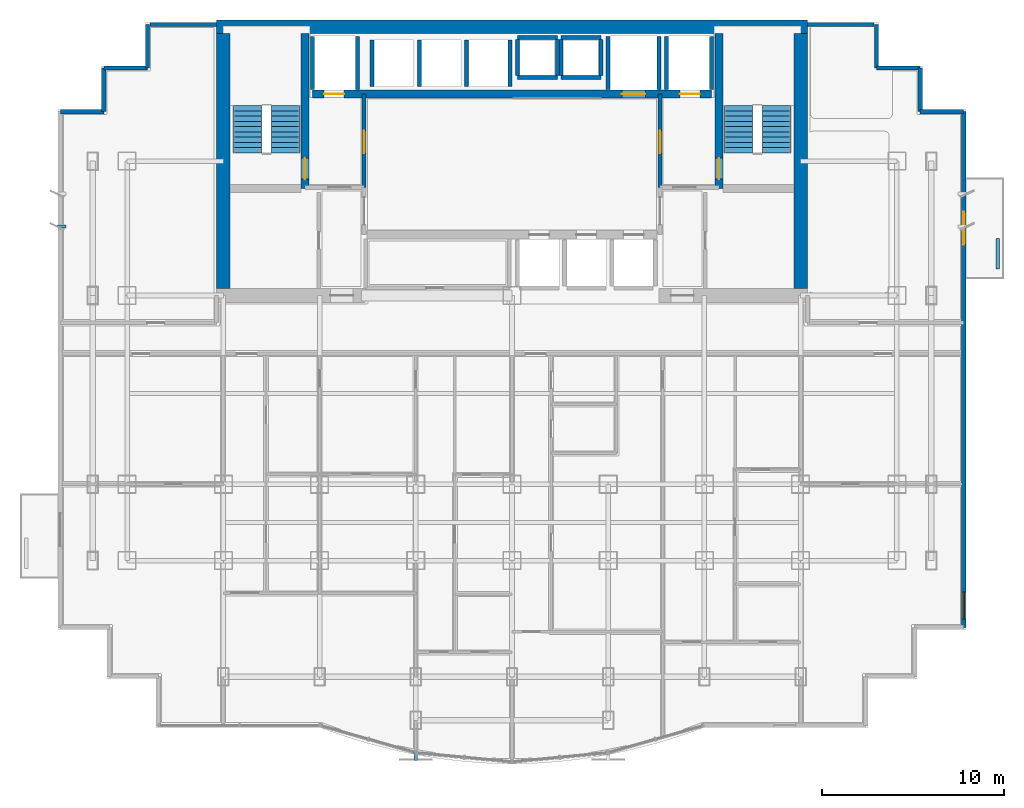
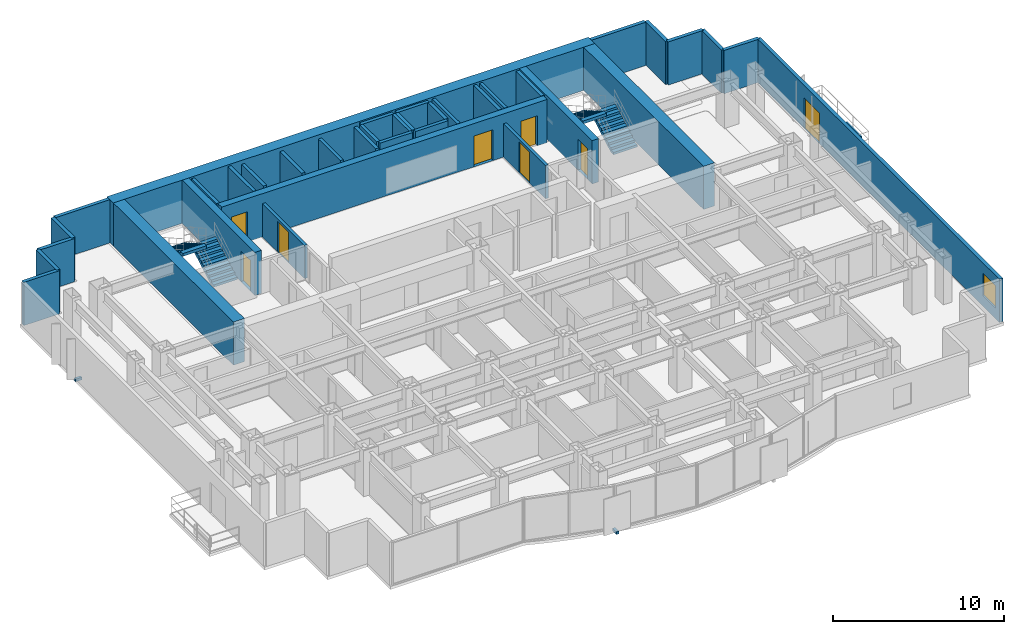
# One storey, part 7 of 10: 38 walls, 8 doors, 4 stair flights, 2 discrete accessories, 1 window, 9 openings, 2 elements without a shape of their own.
"""IFC4 building model written with IfcOpenShell, lengths in metres."""

from ifc_helpers import new_model, si_unit, direction, frame, frame_2d, origin, origin_2d, place, context, subcontext, project, spatial, polyline, rectangle, outline, extrude, source, transform, mapped, material, layer, layer_set, type_object, element, fill, aggregate, save


model = new_model("IFC4")

# Units and contexts
model_context = context("Model", 3, precision=1e-05, world=origin(), true_north=direction((0.0, 1.0)))
body_context = subcontext(model_context, "Body", "Model", "MODEL_VIEW")
ifc_project = project(units=[si_unit("LENGTHUNIT", "METRE"), si_unit("AREAUNIT", "SQUARE_METRE"), si_unit("VOLUMEUNIT", "CUBIC_METRE"), si_unit("PLANEANGLEUNIT", "RADIAN"), si_unit("MASSUNIT", "GRAM", prefix="KILO")], contexts=[model_context])

# Site, building, storey
site_placement = place(None, origin())
site = spatial("IfcSite", under=ifc_project, at=site_placement, CompositionType="ELEMENT")
building_placement = place(site_placement, origin())
building = spatial("IfcBuilding", under=site, at=building_placement, Name="Qianlan Lanfeng Residences", CompositionType="ELEMENT")
storey_placement = place(building_placement, frame((0.0, 0.0, 94.89990234375)))
storey = spatial("IfcBuildingStorey", under=building, at=storey_placement, Name="L25", CompositionType="ELEMENT", Elevation=94.89990234375)

# Wall, opening, door
ifc_material_1 = material(Name="Concrete C60", Category="concrete")
ifc_layer_1 = layer(ifc_material_1, 0.449951171875)
ifc_layer_set_1 = layer_set([ifc_layer_1], Name="Concrete C60")
wall_type_1 = type_object("IfcWallType", Name="CW-RC-450", PredefinedType="SHEAR", material=ifc_layer_set_1)
wall_1_placement = place(storey_placement, frame((15.10009765625, 31.10009765625, 0.0), z_axis=(0.0, 0.0, 1.0), x_axis=(0.0, 1.0, 0.0)))
wall_1 = element("IfcWall", 1, at=wall_1_placement, inside=storey, type_object=wall_type_1, Name="L25 Core Shear Wall ST1E", PredefinedType="SHEAR", context=body_context, shape_type="SweptSolid", body=[
    extrude(rectangle(XDim=8.52490234375, YDim=0.449951171875, at=frame_2d((4.262451171875, 0.0))), origin(), (0.0, 0.0, 1.0), 3.090087890625),
])
opening_1_placement = place(wall_1_placement, frame((0.510009765625, 0.0, 0.0)))
opening_1 = element("IfcOpeningElement", 2, at=opening_1_placement, cuts=wall_1, Name="Opening L25-D07", PredefinedType="OPENING", context=body_context, shape_type="SweptSolid", body=[
    extrude(rectangle(XDim=1.14990234375, YDim=2.199951171875, at=frame_2d((0.574951171875, 1.10009765625))), frame((0.0, 0.23486328125, 0.0), z_axis=(0.0, -1.0, 0.0), x_axis=(1.0, 0.0, 0.0)), (0.0, 0.0, 1.0), 0.469970703125),
])
ifc_material_2 = material(Name="Painted Galvanised Steel Fire Door", Category="steel")
door_type_1 = type_object("IfcDoorType", Name="DT-ST1", OperationType="NOTDEFINED", PredefinedType="DOOR", material=ifc_material_2)
door_1_placement = place(opening_1_placement, frame((1.14990234375, 0.0, 0.0), z_axis=(0.0, 0.0, 1.0), x_axis=(-1.0, 0.0, 0.0)))
door_1 = element("IfcDoor", 3, at=door_1_placement, inside=storey, type_object=door_type_1, Name="L25 Exit Stair ST-1 Door L25-D07 (DT-ST1)", OperationType="SINGLE_SWING_RIGHT", OverallHeight=2.199951171875, OverallWidth=1.14990234375, PredefinedType="DOOR", context=body_context, shape_type="SweptSolid", body=[
    extrude(rectangle(XDim=1.14990234375, YDim=2.199951171875, at=frame_2d((0.574951171875, 1.10009765625))), frame((0.0, 0.02490234375, 0.0), z_axis=(0.0, -1.0, 0.0), x_axis=(1.0, 0.0, 0.0)), (0.0, 0.0, 1.0), 0.050048828125),
])
fill(opening_1, door_1)

wall_2_placement = place(storey_placement, frame((37.89990234375, 31.10009765625, 0.0), z_axis=(0.0, 0.0, 1.0), x_axis=(0.0, 1.0, 0.0)))
wall_2 = element("IfcWall", 4, at=wall_2_placement, inside=storey, type_object=wall_type_1, Name="L25 Core Shear Wall ST2W", PredefinedType="SHEAR", context=body_context, shape_type="SweptSolid", body=[
    extrude(rectangle(XDim=8.52490234375, YDim=0.449951171875, at=frame_2d((4.262451171875, 0.0))), origin(), (0.0, 0.0, 1.0), 3.090087890625),
])
opening_2_placement = place(wall_2_placement, frame((0.510009765625, 0.0, 0.0)))
opening_2 = element("IfcOpeningElement", 5, at=opening_2_placement, cuts=wall_2, Name="Opening L25-D08", PredefinedType="OPENING", context=body_context, shape_type="SweptSolid", body=[
    extrude(rectangle(XDim=1.14990234375, YDim=2.199951171875, at=frame_2d((0.574951171875, 1.10009765625))), frame((0.0, 0.23486328125, 0.0), z_axis=(0.0, -1.0, 0.0), x_axis=(1.0, 0.0, 0.0)), (0.0, 0.0, 1.0), 0.469970703125),
])
door_2_placement = place(opening_2_placement, origin())
door_2 = element("IfcDoor", 6, at=door_2_placement, inside=storey, type_object=door_type_1, Name="L25 Exit Stair ST-2 Door L25-D08 (DT-ST1)", OperationType="SINGLE_SWING_RIGHT", OverallHeight=2.199951171875, OverallWidth=1.14990234375, PredefinedType="DOOR", context=body_context, shape_type="SweptSolid", body=[
    extrude(rectangle(XDim=1.14990234375, YDim=2.199951171875, at=frame_2d((0.574951171875, 1.10009765625))), frame((0.0, 0.02490234375, 0.0), z_axis=(0.0, -1.0, 0.0), x_axis=(1.0, 0.0, 0.0)), (0.0, 0.0, 1.0), 0.050048828125),
])
fill(opening_2, door_2)

# Wall, openings, doors
wall_3_placement = place(storey_placement, frame((15.5, 36.300048828125, 0.0), z_axis=(0.0, 0.0, 1.0), x_axis=(1.0, 0.0, 0.0)))
wall_3 = element("IfcWall", 7, at=wall_3_placement, inside=storey, type_object=wall_type_1, Name="L25 Core Shear Wall LBN", PredefinedType="SHEAR", context=body_context, shape_type="SweptSolid", body=[
    extrude(rectangle(XDim=22.0, YDim=0.449951171875, at=frame_2d((11.0, 0.0))), origin(), (0.0, 0.0, 1.0), 3.090087890625),
])
opening_3_placement = place(wall_3_placement, frame((0.64990234375, 0.0, 0.0)))
opening_3 = element("IfcOpeningElement", 8, at=opening_3_placement, cuts=wall_3, Name="Opening L25-LD-FFL-1", PredefinedType="OPENING", context=body_context, shape_type="SweptSolid", body=[
    extrude(rectangle(XDim=1.10009765625, YDim=2.14990234375, at=frame_2d((0.550048828125, 1.074951171875))), frame((0.0, 0.23486328125, 0.0), z_axis=(0.0, -1.0, 0.0), x_axis=(1.0, 0.0, 0.0)), (0.0, 0.0, 1.0), 0.469970703125),
])
opening_4_placement = place(wall_3_placement, frame((20.25, 0.0, 0.0)))
opening_4 = element("IfcOpeningElement", 9, at=opening_4_placement, cuts=wall_3, Name="Opening L25-LD-FFL-2", PredefinedType="OPENING", context=body_context, shape_type="SweptSolid", body=[
    extrude(rectangle(XDim=1.10009765625, YDim=2.14990234375, at=frame_2d((0.550048828125, 1.074951171875))), frame((0.0, 0.23486328125, 0.0), z_axis=(0.0, -1.0, 0.0), x_axis=(1.0, 0.0, 0.0)), (0.0, 0.0, 1.0), 0.469970703125),
])
opening_5_placement = place(wall_3_placement, frame((17.050048828125, 0.0, 0.0)))
opening_5 = element("IfcOpeningElement", 10, at=opening_5_placement, cuts=wall_3, Name="Opening L25-LD-SVL-1", PredefinedType="OPENING", context=body_context, shape_type="SweptSolid", body=[
    extrude(rectangle(XDim=1.300048828125, YDim=2.199951171875, at=frame_2d((0.64990234375, 1.10009765625))), frame((0.0, 0.23486328125, 0.0), z_axis=(0.0, -1.0, 0.0), x_axis=(1.0, 0.0, 0.0)), (0.0, 0.0, 1.0), 0.469970703125),
])
ifc_material_3 = material(Name="Brushed Stainless Steel Sliding Lift Door", Category="steel")
door_type_2 = type_object("IfcDoorType", Name="LD-01", OperationType="NOTDEFINED", PredefinedType="DOOR", material=ifc_material_3)
door_3_placement = place(opening_3_placement, frame((1.10009765625, 0.0, 0.0), z_axis=(0.0, 0.0, 1.0), x_axis=(-1.0, 0.0, 0.0)))
door_3 = element("IfcDoor", 11, at=door_3_placement, inside=storey, type_object=door_type_2, Name="L25 Elevator FFL-1 Sliding Landing Door", OperationType="DOUBLE_DOOR_SLIDING", OverallHeight=2.14990234375, OverallWidth=1.10009765625, PredefinedType="DOOR", context=body_context, shape_type="SweptSolid", body=[
    extrude(rectangle(XDim=1.10009765625, YDim=2.14990234375, at=frame_2d((0.550048828125, 1.074951171875))), frame((0.0, 0.02490234375, 0.0), z_axis=(0.0, -1.0, 0.0), x_axis=(1.0, 0.0, 0.0)), (0.0, 0.0, 1.0), 0.050048828125),
])
fill(opening_3, door_3)
door_4_placement = place(opening_4_placement, frame((1.10009765625, 0.0, 0.0), z_axis=(0.0, 0.0, 1.0), x_axis=(-1.0, 0.0, 0.0)))
door_4 = element("IfcDoor", 12, at=door_4_placement, inside=storey, type_object=door_type_2, Name="L25 Elevator FFL-2 Sliding Landing Door", OperationType="DOUBLE_DOOR_SLIDING", OverallHeight=2.14990234375, OverallWidth=1.10009765625, PredefinedType="DOOR", context=body_context, shape_type="SweptSolid", body=[
    extrude(rectangle(XDim=1.10009765625, YDim=2.14990234375, at=frame_2d((0.550048828125, 1.074951171875))), frame((0.0, 0.02490234375, 0.0), z_axis=(0.0, -1.0, 0.0), x_axis=(1.0, 0.0, 0.0)), (0.0, 0.0, 1.0), 0.050048828125),
])
fill(opening_4, door_4)
door_type_3 = type_object("IfcDoorType", Name="LD-02", OperationType="NOTDEFINED", PredefinedType="DOOR", material=ifc_material_3)
door_5_placement = place(opening_5_placement, frame((1.300048828125, 0.0, 0.0), z_axis=(0.0, 0.0, 1.0), x_axis=(-1.0, 0.0, 0.0)))
door_5 = element("IfcDoor", 13, at=door_5_placement, inside=storey, type_object=door_type_3, Name="L25 Elevator SVL-1 Sliding Landing Door", OperationType="DOUBLE_DOOR_SLIDING", OverallHeight=2.199951171875, OverallWidth=1.300048828125, PredefinedType="DOOR", context=body_context, shape_type="SweptSolid", body=[
    extrude(rectangle(XDim=1.300048828125, YDim=2.199951171875, at=frame_2d((0.64990234375, 1.10009765625))), frame((0.0, 0.02490234375, 0.0), z_axis=(0.0, -1.0, 0.0), x_axis=(1.0, 0.0, 0.0)), (0.0, 0.0, 1.0), 0.050048828125),
])
fill(opening_5, door_5)

# Walls
ifc_layer_2 = layer(ifc_material_1, 0.75)
ifc_layer_set_2 = layer_set([ifc_layer_2], Name="Concrete C60")
wall_type_2 = type_object("IfcWallType", Name="CW-RC-750", PredefinedType="SHEAR", material=ifc_layer_set_2)
wall_4_placement = place(storey_placement, frame((10.22509765625, 40.0, 0.0), z_axis=(0.0, 0.0, 1.0), x_axis=(1.0, 0.0, 0.0)))
element("IfcWall", 14, at=wall_4_placement, inside=storey, type_object=wall_type_2, Name="L25 Core Shear Wall N", PredefinedType="SHEAR", context=body_context, shape_type="SweptSolid", body=[
    extrude(rectangle(XDim=32.5498046875, YDim=0.75, at=frame_2d((16.27490234375, 0.0))), origin(), (0.0, 0.0, 1.0), 3.090087890625),
])
for number, where, z_axis, x_axis, name in (
    (15, (10.60009765625, 25.574951171875, 0.0), (0.0, 0.0, 1.0), (0.0, 1.0, 0.0), "L25 Core Shear Wall W"),
    (16, (42.39990234375, 25.574951171875, 0.0), (0.0, 0.0, 1.0), (0.0, 1.0, 0.0), "L25 Core Shear Wall E"),
):
    element("IfcWall", number, at=place(storey_placement, frame(where, z_axis=z_axis, x_axis=x_axis)), inside=storey, type_object=wall_type_2, Name=name, PredefinedType="SHEAR", context=body_context, shape_type="SweptSolid", body=[
        extrude(rectangle(XDim=14.050048828125, YDim=0.75, at=frame_2d((7.02490234375, 0.0))), origin(), (0.0, 0.0, 1.0), 3.090087890625),
    ])

# Wall, openings, door, window
ifc_material_4 = material(Name="Concrete C42", Category="concrete")
ifc_layer_3 = layer(ifc_material_4, 0.239990234375)
ifc_layer_set_3 = layer_set([ifc_layer_3], Name="Concrete C42")
wall_type_3 = type_object("IfcWallType", Name="EW-240", PredefinedType="SOLIDWALL", material=ifc_layer_set_3)
wall_5_placement = place(storey_placement, frame((51.3798828125, 6.919921875, 0.0), z_axis=(0.0, 0.0, 1.0), x_axis=(0.0, 1.0, 0.0)))
wall_5 = element("IfcWall", 17, at=wall_5_placement, inside=storey, type_object=wall_type_3, Name="L25 Terrace/Balcony Access Exterior Wall 10", PredefinedType="SOLIDWALL", context=body_context, shape_type="SweptSolid", body=[
    extrude(rectangle(XDim=28.41015625, YDim=0.239990234375, at=frame_2d((14.205078125, 0.0))), origin(), (0.0, 0.0, 1.0), 3.090087890625),
])
opening_6_placement = place(wall_5_placement, frame((21.080078125, 0.0, 0.0)))
opening_6 = element("IfcOpeningElement", 18, at=opening_6_placement, cuts=wall_5, Name="Opening L25-D-EB-N", PredefinedType="OPENING", context=body_context, shape_type="SweptSolid", body=[
    extrude(rectangle(XDim=1.800048828125, YDim=2.199951171875, at=frame_2d((0.89990234375, 1.10009765625))), frame((0.0, 0.1298828125, 0.0), z_axis=(0.0, -1.0, 0.0), x_axis=(1.0, 0.0, 0.0)), (0.0, 0.0, 1.0), 0.260009765625),
])
opening_7_placement = place(wall_5_placement, frame((0.449951171875, 0.0, 0.75)))
opening_7 = element("IfcOpeningElement", 19, at=opening_7_placement, cuts=wall_5, Name="Opening W-02", PredefinedType="OPENING", context=body_context, shape_type="SweptSolid", body=[
    extrude(rectangle(XDim=1.5, YDim=1.60009765625, at=frame_2d((0.75, 0.800048828125))), frame((0.0, 0.1298828125, 0.0), z_axis=(0.0, -1.0, 0.0), x_axis=(1.0, 0.0, 0.0)), (0.0, 0.0, 1.0), 0.260009765625),
])
ifc_material_5 = material(Name="Anodised Bronze Aluminium Framed Glass", Category="aluminium")
door_type_4 = type_object("IfcDoorType", Name="DT-BAL1", OperationType="NOTDEFINED", PredefinedType="DOOR", material=ifc_material_5)
door_6_placement = place(opening_6_placement, frame((1.800048828125, 0.0, 0.0), z_axis=(0.0, 0.0, 1.0), x_axis=(-1.0, 0.0, 0.0)))
door_6 = element("IfcDoor", 20, at=door_6_placement, inside=storey, type_object=door_type_4, Name="L25 Exterior Access Door EB-N", OperationType="DOUBLE_DOOR_SLIDING", OverallHeight=2.199951171875, OverallWidth=1.800048828125, PredefinedType="DOOR", context=body_context, shape_type="SweptSolid", body=[
    extrude(rectangle(XDim=1.800048828125, YDim=2.199951171875, at=frame_2d((0.89990234375, 1.10009765625))), frame((0.0, 0.02490234375, 0.0), z_axis=(0.0, -1.0, 0.0), x_axis=(1.0, 0.0, 0.0)), (0.0, 0.0, 1.0), 0.050048828125),
])
fill(opening_6, door_6)
ifc_material_6 = material(Name="Anodised Bronze Aluminium Framed Double Glazing", Category="aluminium")
window_type = type_object("IfcWindowType", Name="W-02", PartitioningType="SINGLE_PANEL", PredefinedType="WINDOW", material=ifc_material_6)
window_placement = place(opening_7_placement, origin())
window = element("IfcWindow", 21, at=window_placement, inside=storey, type_object=window_type, Name="L25 Exterior Window W-02", OverallHeight=1.60009765625, OverallWidth=1.5, PartitioningType="SINGLE_PANEL", PredefinedType="WINDOW", context=body_context, shape_type="SweptSolid", body=[
    extrude(rectangle(XDim=1.5, YDim=1.60009765625, at=frame_2d((0.75, 0.800048828125))), frame((0.0, 0.030029296875, 0.0), z_axis=(0.0, -1.0, 0.0), x_axis=(1.0, 0.0, 0.0)), (0.0, 0.0, 1.0), 0.06005859375),
])
fill(opening_7, window)

# Walls
for number, where, z_axis, x_axis, name in (
    (22, (51.3798828125, 35.330078125, 0.0), (0.0, 0.0, 1.0), (-1.0, 0.0, 0.0), "L25 Exterior Facade Spandrel Wall 11"),
    (23, (48.97998046875, 35.330078125, 0.0), (0.0, 0.0, 1.0), (0.0, 1.0, 0.0), "L25 Exterior Facade Spandrel Wall 12"),
    (24, (48.97998046875, 37.72998046875, 0.0), (0.0, 0.0, 1.0), (-1.0, 0.0, 0.0), "L25 Exterior Facade Spandrel Wall 13"),
    (25, (46.580078125, 37.72998046875, 0.0), (0.0, 0.0, 1.0), (0.0, 1.0, 0.0), "L25 Exterior Facade Spandrel Wall 14"),
):
    element("IfcWall", number, at=place(storey_placement, frame(where, z_axis=z_axis, x_axis=x_axis)), inside=storey, type_object=wall_type_3, Name=name, PredefinedType="SOLIDWALL", context=body_context, shape_type="SweptSolid", body=[
        extrude(rectangle(XDim=2.39990234375, YDim=0.239990234375, at=frame_2d((1.199951171875, 0.0))), origin(), (0.0, 0.0, 1.0), 3.090087890625),
    ])
for number, where, z_axis, x_axis, name in (
    (26, (46.449951171875, 40.1298828125, 0.0), (0.0, 0.0, 1.0), (-1.0, 0.0, 0.0), "L25 North Wing Exterior Wall E"),
    (27, (10.22509765625, 40.1298828125, 0.0), (0.0, 0.0, 1.0), (-1.0, 0.0, 0.0), "L25 North Wing Exterior Wall W"),
):
    element("IfcWall", number, at=place(storey_placement, frame(where, z_axis=z_axis, x_axis=x_axis)), inside=storey, type_object=wall_type_3, Name=name, PredefinedType="SOLIDWALL", context=body_context, shape_type="SweptSolid", body=[
        extrude(rectangle(XDim=3.675048828125, YDim=0.239990234375, at=frame_2d((1.83740234375, 0.0))), origin(), (0.0, 0.0, 1.0), 3.090087890625),
    ])
for number, where, z_axis, x_axis, name in (
    (28, (6.419921875, 40.1298828125, 0.0), (0.0, 0.0, 1.0), (0.0, -1.0, 0.0), "L25 Exterior Facade Spandrel Wall 17"),
    (29, (6.419921875, 37.72998046875, 0.0), (0.0, 0.0, 1.0), (-1.0, 0.0, 0.0), "L25 Exterior Facade Spandrel Wall 18"),
    (30, (4.02001953125, 37.72998046875, 0.0), (0.0, 0.0, 1.0), (0.0, -1.0, 0.0), "L25 Exterior Facade Spandrel Wall 19"),
    (31, (4.02001953125, 35.330078125, 0.0), (0.0, 0.0, 1.0), (-1.0, 0.0, 0.0), "L25 Exterior Facade Spandrel Wall 20"),
):
    element("IfcWall", number, at=place(storey_placement, frame(where, z_axis=z_axis, x_axis=x_axis)), inside=storey, type_object=wall_type_3, Name=name, PredefinedType="SOLIDWALL", context=body_context, shape_type="SweptSolid", body=[
        extrude(rectangle(XDim=2.39990234375, YDim=0.239990234375, at=frame_2d((1.199951171875, 0.0))), origin(), (0.0, 0.0, 1.0), 3.090087890625),
    ])
ifc_layer_4 = layer(ifc_material_4, 0.199951171875)
ifc_layer_set_4 = layer_set([ifc_layer_4], Name="Concrete C42")
wall_type_4 = type_object("IfcWallType", Name="PL-TREE-200", PredefinedType="PARAPET", material=ifc_layer_set_4)
wall_6_placement = place(storey_placement, frame((53.25, 26.64990234375, 0.0), z_axis=(0.0, 0.0, 1.0), x_axis=(0.0, 1.0, 0.0)))
element("IfcWall", 32, at=wall_6_placement, inside=storey, type_object=wall_type_4, Name="L25 East Tree Planter Curb EB-N", PredefinedType="PARAPET", context=body_context, shape_type="SweptSolid", body=[
    extrude(rectangle(XDim=1.7001953125, YDim=0.199951171875, at=frame_2d((0.85009765625, 0.0))), origin(), (0.0, 0.0, 1.0), 0.650146484375),
])

# Wall, opening, door
ifc_material_7 = material(Name="Autoclaved Aerated Concrete Blockwork 200 mm", Category="masonry")
ifc_layer_5 = layer(ifc_material_7, 0.199951171875)
ifc_layer_set_5 = layer_set([ifc_layer_5], Name="Autoclaved Aerated Concrete Blockwork 200 mm")
wall_type_5 = type_object("IfcWallType", Name="PW-200", PredefinedType="PARTITIONING", material=ifc_layer_set_5)
wall_7_placement = place(storey_placement, frame((18.35009765625, 31.14990234375, 0.0), z_axis=(0.0, 0.0, 1.0), x_axis=(0.0, 1.0, 0.0)))
wall_7 = element("IfcWall", 33, at=wall_7_placement, inside=storey, type_object=wall_type_5, Name="L25 Firefighting Lobby 1 East Wall", PredefinedType="PARTITIONING", context=body_context, shape_type="SweptSolid", body=[
    extrude(rectangle(XDim=5.150146484375, YDim=0.199951171875, at=frame_2d((2.5751953125, 0.0))), origin(), (0.0, 0.0, 1.0), 2.380126953125),
])
opening_8_placement = place(wall_7_placement, frame((1.875, 0.0, 0.0)))
opening_8 = element("IfcOpeningElement", 34, at=opening_8_placement, cuts=wall_7, Name="Opening L25-D04", PredefinedType="OPENING", context=body_context, shape_type="SweptSolid", body=[
    extrude(rectangle(XDim=1.25, YDim=2.199951171875, at=frame_2d((0.625, 1.10009765625))), frame((0.0, 0.10986328125, 0.0), z_axis=(0.0, -1.0, 0.0), x_axis=(1.0, 0.0, 0.0)), (0.0, 0.0, 1.0), 0.219970703125),
])
door_type_5 = type_object("IfcDoorType", Name="DT-FFL", OperationType="NOTDEFINED", PredefinedType="DOOR", material=ifc_material_2)
door_7_placement = place(opening_8_placement, origin())
door_7 = element("IfcDoor", 35, at=door_7_placement, inside=storey, type_object=door_type_5, Name="L25 Firefighting Lobby 1 Lift Lobby Door L25-D04 (DT-FFL)", OperationType="SINGLE_SWING_LEFT", OverallHeight=2.199951171875, OverallWidth=1.25, PredefinedType="DOOR", context=body_context, shape_type="SweptSolid", body=[
    extrude(rectangle(XDim=1.25, YDim=2.199951171875, at=frame_2d((0.625, 1.10009765625))), frame((0.0, 0.02490234375, 0.0), z_axis=(0.0, -1.0, 0.0), x_axis=(1.0, 0.0, 0.0)), (0.0, 0.0, 1.0), 0.050048828125),
])
fill(opening_8, door_7)

wall_8_placement = place(storey_placement, frame((34.64990234375, 31.14990234375, 0.0), z_axis=(0.0, 0.0, 1.0), x_axis=(0.0, 1.0, 0.0)))
wall_8 = element("IfcWall", 36, at=wall_8_placement, inside=storey, type_object=wall_type_5, Name="L25 Firefighting Lobby 2 West Wall", PredefinedType="PARTITIONING", context=body_context, shape_type="SweptSolid", body=[
    extrude(rectangle(XDim=5.150146484375, YDim=0.199951171875, at=frame_2d((2.5751953125, 0.0))), origin(), (0.0, 0.0, 1.0), 2.380126953125),
])
opening_9_placement = place(wall_8_placement, frame((1.875, 0.0, 0.0)))
opening_9 = element("IfcOpeningElement", 37, at=opening_9_placement, cuts=wall_8, Name="Opening L25-D06", PredefinedType="OPENING", context=body_context, shape_type="SweptSolid", body=[
    extrude(rectangle(XDim=1.25, YDim=2.199951171875, at=frame_2d((0.625, 1.10009765625))), frame((0.0, 0.10986328125, 0.0), z_axis=(0.0, -1.0, 0.0), x_axis=(1.0, 0.0, 0.0)), (0.0, 0.0, 1.0), 0.219970703125),
])
door_8_placement = place(opening_9_placement, origin())
door_8 = element("IfcDoor", 38, at=door_8_placement, inside=storey, type_object=door_type_5, Name="L25 Firefighting Lobby 2 Lift Lobby Door L25-D06 (DT-FFL)", OperationType="SINGLE_SWING_LEFT", OverallHeight=2.199951171875, OverallWidth=1.25, PredefinedType="DOOR", context=body_context, shape_type="SweptSolid", body=[
    extrude(rectangle(XDim=1.25, YDim=2.199951171875, at=frame_2d((0.625, 1.10009765625))), frame((0.0, 0.02490234375, 0.0), z_axis=(0.0, -1.0, 0.0), x_axis=(1.0, 0.0, 0.0)), (0.0, 0.0, 1.0), 0.050048828125),
])
fill(opening_9, door_8)

# Walls
ifc_material_8 = material(Name="Concrete C49", Category="concrete")
ifc_layer_6 = layer(ifc_material_8, 0.219970703125)
ifc_layer_set_6 = layer_set([ifc_layer_6], Name="Concrete C49")
wall_type_6 = type_object("IfcWallType", Name="SHW-220", PredefinedType="SOLIDWALL", material=ifc_layer_set_6)
for number, where, z_axis, x_axis, name in (
    (39, (15.52001953125, 36.550048828125, 0.0), (0.0, 0.0, 1.0), (0.0, 1.0, 0.0), "L25 Lift FFL-1 Shaft Wall W"),
    (40, (18.0, 36.550048828125, 0.0), (0.0, 0.0, 1.0), (0.0, 1.0, 0.0), "L25 Lift FFL-1 Shaft Wall E"),
    (41, (35.0, 36.550048828125, 0.0), (0.0, 0.0, 1.0), (0.0, 1.0, 0.0), "L25 Lift FFL-2 Shaft Wall W"),
    (42, (37.47998046875, 36.550048828125, 0.0), (0.0, 0.0, 1.0), (0.0, 1.0, 0.0), "L25 Lift FFL-2 Shaft Wall E"),
    (43, (31.800048828125, 36.550048828125, 0.0), (0.0, 0.0, 1.0), (0.0, 1.0, 0.0), "L25 Lift SVL-1 Shaft Wall W"),
    (44, (34.60009765625, 36.550048828125, 0.0), (0.0, 0.0, 1.0), (0.0, 1.0, 0.0), "L25 Lift SVL-1 Shaft Wall E"),
):
    element("IfcWall", number, at=place(storey_placement, frame(where, z_axis=z_axis, x_axis=x_axis)), inside=storey, type_object=wall_type_6, Name=name, PredefinedType="SOLIDWALL", context=body_context, shape_type="SweptSolid", body=[
        extrude(rectangle(XDim=2.929931640625, YDim=0.219970703125, at=frame_2d((1.46484375, 0.0))), origin(), (0.0, 0.0, 1.0), 3.090087890625),
    ])
for number, where, z_axis, x_axis, name in (
    (45, (18.800048828125, 36.719970703125, 0.0), (0.0, 0.0, 1.0), (0.0, 1.0, 0.0), "L25 Lift PL-H1 Shaft Wall W"),
    (46, (21.39990234375, 36.719970703125, 0.0), (0.0, 0.0, 1.0), (0.0, 1.0, 0.0), "L25 Lift PL-H2 Shaft Wall W"),
    (47, (24.0, 36.719970703125, 0.0), (0.0, 0.0, 1.0), (0.0, 1.0, 0.0), "L25 Lift PL-H3 Shaft Wall W"),
    (48, (26.39990234375, 36.719970703125, 0.0), (0.0, 0.0, 1.0), (0.0, 1.0, 0.0), "L25 Lift PL-H3 Shaft Wall E"),
):
    element("IfcWall", number, at=place(storey_placement, frame(where, z_axis=z_axis, x_axis=x_axis)), inside=storey, type_object=wall_type_6, Name=name, PredefinedType="SOLIDWALL", context=body_context, shape_type="SweptSolid", body=[
        extrude(rectangle(XDim=2.56005859375, YDim=0.219970703125, at=frame_2d((1.280029296875, 0.0))), origin(), (0.0, 0.0, 1.0), 3.090087890625),
    ])
for number, where, z_axis, x_axis, name in (
    (49, (26.800048828125, 37.31005859375, 0.0), (0.0, 0.0, 1.0), (0.0, 1.0, 0.0), "L25 MEP Riser MEP-R1 Shaft Wall W"),
    (50, (29.0, 37.31005859375, 0.0), (0.0, 0.0, 1.0), (0.0, 1.0, 0.0), "L25 MEP Riser MEP-R1 Shaft Wall E"),
):
    element("IfcWall", number, at=place(storey_placement, frame(where, z_axis=z_axis, x_axis=x_axis)), inside=storey, type_object=wall_type_6, Name=name, PredefinedType="SOLIDWALL", context=body_context, shape_type="SweptSolid", body=[
        extrude(rectangle(XDim=1.97998046875, YDim=0.219970703125, at=frame_2d((0.989990234375, 0.0))), origin(), (0.0, 0.0, 1.0), 3.090087890625),
    ])
for number, where, z_axis, x_axis, name in (
    (51, (26.800048828125, 39.39990234375, 0.0), (0.0, 0.0, 1.0), (1.0, 0.0, 0.0), "L25 MEP Riser MEP-R1 Shaft Wall N"),
    (52, (26.800048828125, 37.199951171875, 0.0), (0.0, 0.0, 1.0), (1.0, 0.0, 0.0), "L25 MEP Riser MEP-R1 Shaft Wall S"),
):
    element("IfcWall", number, at=place(storey_placement, frame(where, z_axis=z_axis, x_axis=x_axis)), inside=storey, type_object=wall_type_6, Name=name, PredefinedType="SOLIDWALL", context=body_context, shape_type="SweptSolid", body=[
        extrude(rectangle(XDim=2.199951171875, YDim=0.219970703125, at=frame_2d((1.10009765625, 0.0))), origin(), (0.0, 0.0, 1.0), 3.090087890625),
    ])
for number, where, z_axis, x_axis, name in (
    (53, (29.199951171875, 37.31005859375, 0.0), (0.0, 0.0, 1.0), (0.0, 1.0, 0.0), "L25 MEP Riser MEP-R2 Shaft Wall W"),
    (54, (31.39990234375, 37.31005859375, 0.0), (0.0, 0.0, 1.0), (0.0, 1.0, 0.0), "L25 MEP Riser MEP-R2 Shaft Wall E"),
):
    element("IfcWall", number, at=place(storey_placement, frame(where, z_axis=z_axis, x_axis=x_axis)), inside=storey, type_object=wall_type_6, Name=name, PredefinedType="SOLIDWALL", context=body_context, shape_type="SweptSolid", body=[
        extrude(rectangle(XDim=1.97998046875, YDim=0.219970703125, at=frame_2d((0.989990234375, 0.0))), origin(), (0.0, 0.0, 1.0), 3.090087890625),
    ])
for number, where, z_axis, x_axis, name in (
    (55, (29.199951171875, 39.39990234375, 0.0), (0.0, 0.0, 1.0), (1.0, 0.0, 0.0), "L25 MEP Riser MEP-R2 Shaft Wall N"),
    (56, (29.199951171875, 37.199951171875, 0.0), (0.0, 0.0, 1.0), (1.0, 0.0, 0.0), "L25 MEP Riser MEP-R2 Shaft Wall S"),
):
    element("IfcWall", number, at=place(storey_placement, frame(where, z_axis=z_axis, x_axis=x_axis)), inside=storey, type_object=wall_type_6, Name=name, PredefinedType="SOLIDWALL", context=body_context, shape_type="SweptSolid", body=[
        extrude(rectangle(XDim=2.199951171875, YDim=0.219970703125, at=frame_2d((1.10009765625, 0.0))), origin(), (0.0, 0.0, 1.0), 3.090087890625),
    ])

# Stair, stair flights
stair_type = type_object("IfcStairType", Name="STR-MAIN", PredefinedType="HALF_TURN_STAIR", material=ifc_material_4)
stair_1_placement = place(storey_placement, origin())
stair_1 = element("IfcStair", 57, at=stair_1_placement, inside=storey, type_object=stair_type, Name="L25 Exit Stair ST-1", PredefinedType="HALF_TURN_STAIR")
stair_flight_type = type_object("IfcStairFlightType", Name="FLT-1720", PredefinedType="STRAIGHT", material=ifc_material_4)
stair_flight_1_placement = place(storey_placement, frame((14.02001953125, 33.050048828125, 0.0), z_axis=(0.0, 0.0, 1.0), x_axis=(0.0, 1.0, 0.0)))
stair_flight_1 = element("IfcStairFlight", 58, at=stair_flight_1_placement, type_object=stair_flight_type, Name="ST-1 flight 1", NumberOfRisers=10, NumberOfTreads=9, PredefinedType="STRAIGHT", RiserHeight=0.165, TreadLength=0.29, context=body_context, shape_type="SweptSolid", body=[
    extrude(outline(polyline([(0.0, 0.0), (0.0, 0.1650390625), (0.2900390625, 0.1650390625), (0.2900390625, 0.330078125), (0.580078125, 0.330078125), (0.580078125, 0.4951171875), (0.8701171875, 0.4951171875), (0.8701171875, 0.659912109375), (1.159912109375, 0.659912109375), (1.159912109375, 0.824951171875), (1.449951171875, 0.824951171875), (1.449951171875, 0.989990234375), (1.739990234375, 0.989990234375), (1.739990234375, 1.155029296875), (2.030029296875, 1.155029296875), (2.030029296875, 1.320068359375), (2.320068359375, 1.320068359375), (2.320068359375, 1.485107421875), (2.610107421875, 1.485107421875), (2.610107421875, 1.64990234375), (2.610107421875, 1.278076171875), (0.36376953125, 0.0), (0.0, 0.0)])), frame((0.0, 0.800048828125, 0.0), z_axis=(0.0, -1.0, 0.0), x_axis=(1.0, 0.0, 0.0)), (0.0, 0.0, 1.0), 1.60009765625),
])
stair_flight_2_placement = place(storey_placement, frame((11.93994140625, 35.659912109375, 1.650146484375), z_axis=(0.0, 0.0, 1.0), x_axis=(0.0, -1.0, 0.0)))
stair_flight_2 = element("IfcStairFlight", 59, at=stair_flight_2_placement, type_object=stair_flight_type, Name="ST-1 flight 2", NumberOfRisers=10, NumberOfTreads=9, PredefinedType="STRAIGHT", RiserHeight=0.165, TreadLength=0.29, context=body_context, shape_type="SweptSolid", body=[
    extrude(outline(polyline([(0.0, 0.0), (0.0, 0.1650390625), (0.2900390625, 0.1650390625), (0.2900390625, 0.330078125), (0.580078125, 0.330078125), (0.580078125, 0.4951171875), (0.8701171875, 0.4951171875), (0.8701171875, 0.659912109375), (1.159912109375, 0.659912109375), (1.159912109375, 0.824951171875), (1.449951171875, 0.824951171875), (1.449951171875, 0.989990234375), (1.739990234375, 0.989990234375), (1.739990234375, 1.155029296875), (2.030029296875, 1.155029296875), (2.030029296875, 1.320068359375), (2.320068359375, 1.320068359375), (2.320068359375, 1.485107421875), (2.610107421875, 1.485107421875), (2.610107421875, 1.64990234375), (2.610107421875, 1.278076171875), (0.36376953125, 0.0), (0.0, 0.0)])), frame((0.0, 0.800048828125, 0.0), z_axis=(0.0, -1.0, 0.0), x_axis=(1.0, 0.0, 0.0)), (0.0, 0.0, 1.0), 1.60009765625),
])
aggregate(stair_1, [stair_flight_1, stair_flight_2])

stair_2_placement = place(storey_placement, origin())
stair_2 = element("IfcStair", 60, at=stair_2_placement, inside=storey, type_object=stair_type, Name="L25 Exit Stair ST-2", PredefinedType="HALF_TURN_STAIR")
stair_flight_3_placement = place(storey_placement, frame((41.06005859375, 33.050048828125, 0.0), z_axis=(0.0, 0.0, 1.0), x_axis=(0.0, 1.0, 0.0)))
stair_flight_3 = element("IfcStairFlight", 61, at=stair_flight_3_placement, type_object=stair_flight_type, Name="ST-2 flight 1", NumberOfRisers=10, NumberOfTreads=9, PredefinedType="STRAIGHT", RiserHeight=0.165, TreadLength=0.29, context=body_context, shape_type="SweptSolid", body=[
    extrude(outline(polyline([(0.0, 0.0), (0.0, 0.1650390625), (0.2900390625, 0.1650390625), (0.2900390625, 0.330078125), (0.580078125, 0.330078125), (0.580078125, 0.4951171875), (0.8701171875, 0.4951171875), (0.8701171875, 0.659912109375), (1.159912109375, 0.659912109375), (1.159912109375, 0.824951171875), (1.449951171875, 0.824951171875), (1.449951171875, 0.989990234375), (1.739990234375, 0.989990234375), (1.739990234375, 1.155029296875), (2.030029296875, 1.155029296875), (2.030029296875, 1.320068359375), (2.320068359375, 1.320068359375), (2.320068359375, 1.485107421875), (2.610107421875, 1.485107421875), (2.610107421875, 1.64990234375), (2.610107421875, 1.278076171875), (0.36376953125, 0.0), (0.0, 0.0)])), frame((0.0, 0.800048828125, 0.0), z_axis=(0.0, -1.0, 0.0), x_axis=(1.0, 0.0, 0.0)), (0.0, 0.0, 1.0), 1.60009765625),
])
stair_flight_4_placement = place(storey_placement, frame((38.97998046875, 35.659912109375, 1.650146484375), z_axis=(0.0, 0.0, 1.0), x_axis=(0.0, -1.0, 0.0)))
stair_flight_4 = element("IfcStairFlight", 62, at=stair_flight_4_placement, type_object=stair_flight_type, Name="ST-2 flight 2", NumberOfRisers=10, NumberOfTreads=9, PredefinedType="STRAIGHT", RiserHeight=0.165, TreadLength=0.29, context=body_context, shape_type="SweptSolid", body=[
    extrude(outline(polyline([(0.0, 0.0), (0.0, 0.1650390625), (0.2900390625, 0.1650390625), (0.2900390625, 0.330078125), (0.580078125, 0.330078125), (0.580078125, 0.4951171875), (0.8701171875, 0.4951171875), (0.8701171875, 0.659912109375), (1.159912109375, 0.659912109375), (1.159912109375, 0.824951171875), (1.449951171875, 0.824951171875), (1.449951171875, 0.989990234375), (1.739990234375, 0.989990234375), (1.739990234375, 1.155029296875), (2.030029296875, 1.155029296875), (2.030029296875, 1.320068359375), (2.320068359375, 1.320068359375), (2.320068359375, 1.485107421875), (2.610107421875, 1.485107421875), (2.610107421875, 1.64990234375), (2.610107421875, 1.278076171875), (0.36376953125, 0.0), (0.0, 0.0)])), frame((0.0, 0.800048828125, 0.0), z_axis=(0.0, -1.0, 0.0), x_axis=(1.0, 0.0, 0.0)), (0.0, 0.0, 1.0), 1.60009765625),
])
aggregate(stair_2, [stair_flight_3, stair_flight_4])

# Discrete accessories
ifc_material_9 = material(Name="Stainless Steel Facade Bracket", Category="steel")
discrete_accessory_type = type_object("IfcDiscreteAccessoryType", Name="BRK-SS-350", PredefinedType="BRACKET", material=ifc_material_9)
shared_shape_1 = source(origin(), body_context, "Body", "SweptSolid", [
    extrude(rectangle(XDim=0.179931640625, YDim=0.449951171875, at=origin_2d()), origin(), (0.0, 0.0, 1.0), 0.179931640625),
])
discrete_accessory_1_placement = place(storey_placement, frame((21.199951171875, -0.199951171875, -0.14990234375), z_axis=(0.0, 0.0, 1.0), x_axis=(1.0, 0.0, 0.0)))
element("IfcDiscreteAccessory", 63, at=discrete_accessory_1_placement, inside=storey, type_object=discrete_accessory_type, Name="L25 Solar Screen Support Bracket 1", PredefinedType="BRACKET", context=body_context, shape_type="MappedRepresentation", body=[
    mapped(shared_shape_1, transform((0.0, 0.0, 0.0), scale=1.0)),
])
shared_shape_2 = source(origin(), body_context, "Body", "SweptSolid", [
    extrude(rectangle(XDim=0.449951171875, YDim=0.179931640625, at=origin_2d()), origin(), (0.0, 0.0, 1.0), 0.179931640625),
])
discrete_accessory_2_placement = place(storey_placement, frame((1.699951171875, 29.0, -0.14990234375), z_axis=(0.0, 0.0, 1.0), x_axis=(1.0, 0.0, 0.0)))
element("IfcDiscreteAccessory", 64, at=discrete_accessory_2_placement, inside=storey, type_object=discrete_accessory_type, Name="L25 Raked Solar Fin Support Bracket W1", PredefinedType="BRACKET", context=body_context, shape_type="MappedRepresentation", body=[
    mapped(shared_shape_2, transform((0.0, 0.0, 0.0), scale=1.0)),
])

save(model, "model.ifc")
